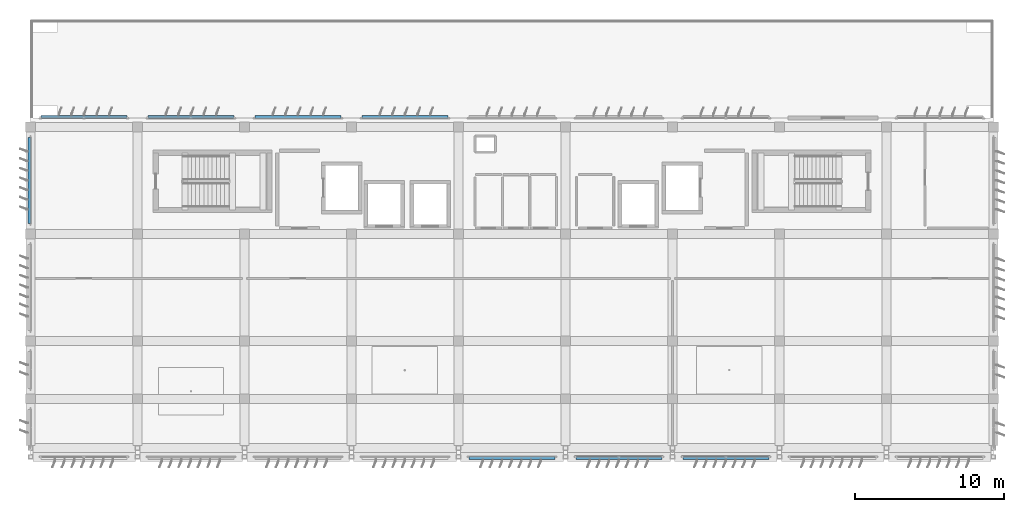
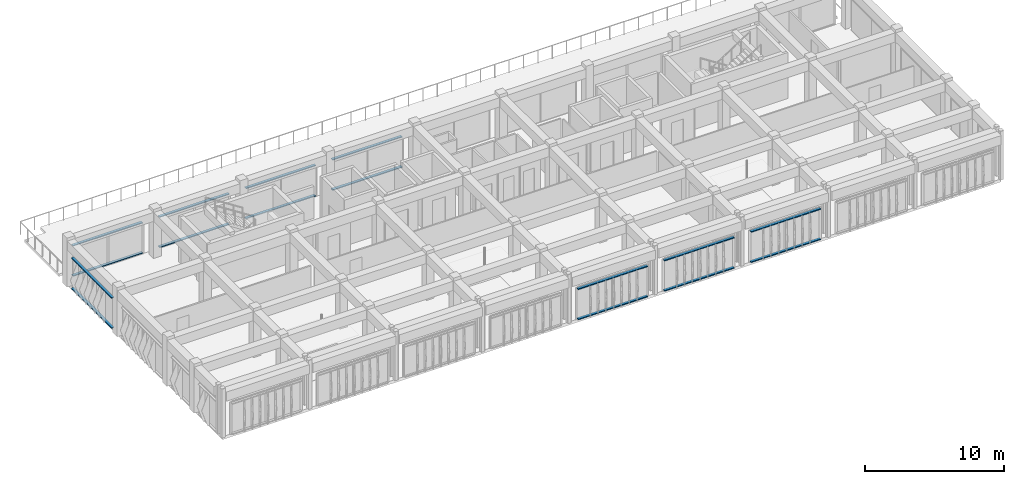
# One storey, part 33 of 42: 16 discrete accessories.
"""IFC4 building model written with IfcOpenShell, lengths in metres."""

from ifc_helpers import new_model, si_unit, direction, frame, origin, origin_2d, place, context, subcontext, project, spatial, rectangle, extrude, material, type_object, element, save


model = new_model("IFC4")

# Units and contexts
model_context = context("Model", 3, precision=1e-05, world=origin(), true_north=direction((0.0, 1.0)))
body_context = subcontext(model_context, "Body", "Model", "MODEL_VIEW")
ifc_project = project(units=[si_unit("LENGTHUNIT", "METRE"), si_unit("AREAUNIT", "SQUARE_METRE"), si_unit("VOLUMEUNIT", "CUBIC_METRE"), si_unit("PLANEANGLEUNIT", "RADIAN"), si_unit("MASSUNIT", "GRAM", prefix="KILO")], contexts=[model_context])

# Site, building, storey
site_placement = place(None, origin())
site = spatial("IfcSite", under=ifc_project, at=site_placement, CompositionType="ELEMENT")
building_placement = place(site_placement, origin())
building = spatial("IfcBuilding", under=site, at=building_placement, Name="Kazehaya Institute of Natural Sciences", CompositionType="ELEMENT")
storey_placement = place(building_placement, frame((0.0, 0.0, 37.6201171875)))
storey = spatial("IfcBuildingStorey", under=building, at=storey_placement, Name="L08", CompositionType="ELEMENT", Elevation=37.6201171875)

# Discrete accessories
ifc_material = material(Name="Aluminium alloy A6063S-T5", Category="aluminium")
discrete_accessory_type = type_object("IfcDiscreteAccessoryType", Name="ACC-BRK-01", PredefinedType="BRACKET", material=ifc_material)
for number, where, z_axis, x_axis, name in (
    (1, (101.39990234375, 6.125, 0.039794921875), (0.0, 0.0, 1.0), (-1.0, 0.0, 0.0), "L08 fin support outrigger rail 1"),
    (2, (101.39990234375, 6.125, 2.699951171875), (0.0, 0.0, 1.0), (-1.0, 0.0, 0.0), "L08 fin support outrigger rail 2"),
    (3, (94.199951171875, 6.125, 0.039794921875), (0.0, 0.0, 1.0), (-1.0, 0.0, 0.0), "L08 fin support outrigger rail 1"),
    (4, (94.199951171875, 6.125, 2.699951171875), (0.0, 0.0, 1.0), (-1.0, 0.0, 0.0), "L08 fin support outrigger rail 2"),
    (5, (87.0, 6.125, 0.039794921875), (0.0, 0.0, 1.0), (-1.0, 0.0, 0.0), "L08 fin support outrigger rail 1"),
    (6, (87.0, 6.125, 2.699951171875), (0.0, 0.0, 1.0), (-1.0, 0.0, 0.0), "L08 fin support outrigger rail 2"),
    (7, (58.199951171875, 29.074951171875, 0.039794921875), (0.0, 0.0, 1.0), (1.0, 0.0, 0.0), "L08 fin support outrigger rail 1"),
    (8, (58.199951171875, 29.074951171875, 2.699951171875), (0.0, 0.0, 1.0), (1.0, 0.0, 0.0), "L08 fin support outrigger rail 2"),
    (9, (65.39990234375, 29.074951171875, 0.039794921875), (0.0, 0.0, 1.0), (1.0, 0.0, 0.0), "L08 fin support outrigger rail 1"),
    (10, (65.39990234375, 29.074951171875, 2.699951171875), (0.0, 0.0, 1.0), (1.0, 0.0, 0.0), "L08 fin support outrigger rail 2"),
    (11, (72.60009765625, 29.074951171875, 0.039794921875), (0.0, 0.0, 1.0), (1.0, 0.0, 0.0), "L08 fin support outrigger rail 1"),
    (12, (72.60009765625, 29.074951171875, 2.699951171875), (0.0, 0.0, 1.0), (1.0, 0.0, 0.0), "L08 fin support outrigger rail 2"),
    (13, (79.800048828125, 29.074951171875, 0.039794921875), (0.0, 0.0, 1.0), (1.0, 0.0, 0.0), "L08 fin support outrigger rail 1"),
    (14, (79.800048828125, 29.074951171875, 2.699951171875), (0.0, 0.0, 1.0), (1.0, 0.0, 0.0), "L08 fin support outrigger rail 2"),
    (15, (54.52490234375, 24.800048828125, 0.039794921875), (0.0, 0.0, 1.0), (0.0, 1.0, 0.0), "L08 fin support outrigger rail 1"),
    (16, (54.52490234375, 24.800048828125, 2.699951171875), (0.0, 0.0, 1.0), (0.0, 1.0, 0.0), "L08 fin support outrigger rail 2"),
):
    element("IfcDiscreteAccessory", number, at=place(storey_placement, frame(where, z_axis=z_axis, x_axis=x_axis)), inside=storey, type_object=discrete_accessory_type, Name=name, PredefinedType="BRACKET", context=body_context, shape_type="SweptSolid", body=[
        extrude(rectangle(XDim=5.800048828125, YDim=0.219970703125, at=origin_2d()), origin(), (0.0, 0.0, 1.0), 0.080078125),
    ])

save(model, "model.ifc")
